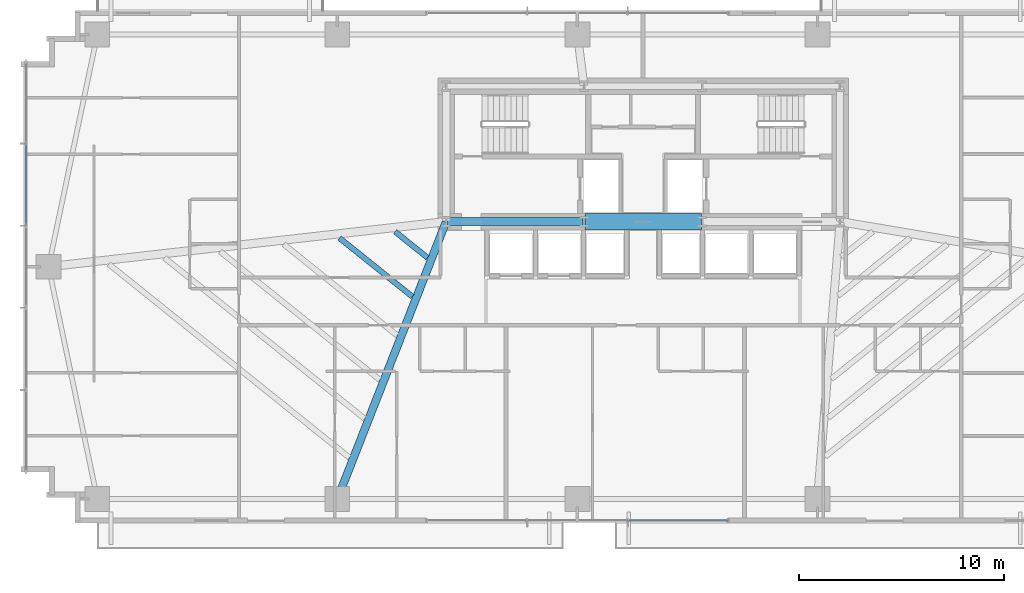
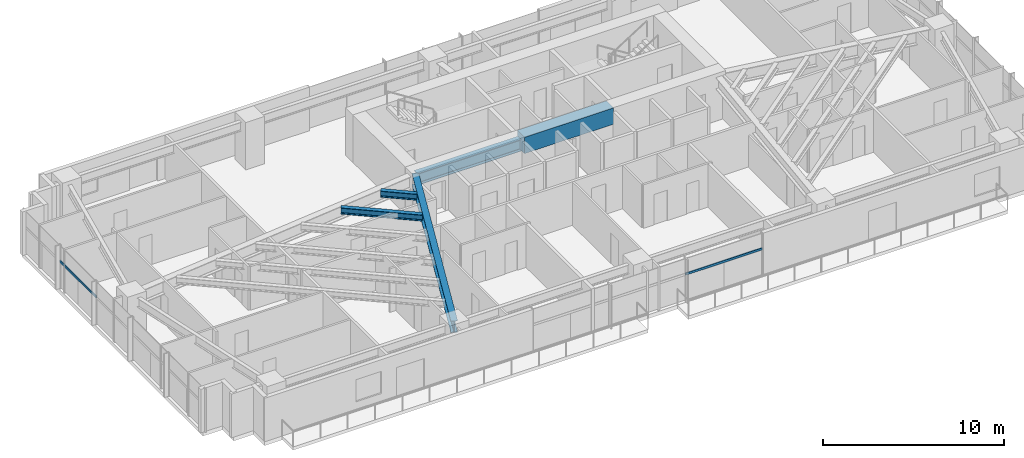
# One storey, part 7 of 25: 5 beams, 2 members, 2 elements without a shape of their own.
"""IFC4 building model written with IfcOpenShell, lengths in metres."""

from ifc_helpers import new_model, si_unit, direction, frame, origin, origin_2d, place, context, subcontext, project, spatial, rectangle, hollow_rectangle, i_section, extrude, source, transform, mapped, material, material_profile, profile_set, type_object, type_shapes, element, aggregate, save


model = new_model("IFC4")

# Units and contexts
model_context = context("Model", 3, precision=1e-05, world=origin(), true_north=direction((0.0, 1.0)))
body_context = subcontext(model_context, "Body", "Model", "MODEL_VIEW")
ifc_project = project(units=[si_unit("LENGTHUNIT", "METRE"), si_unit("AREAUNIT", "SQUARE_METRE"), si_unit("VOLUMEUNIT", "CUBIC_METRE"), si_unit("PLANEANGLEUNIT", "RADIAN"), si_unit("MASSUNIT", "GRAM", prefix="KILO")], contexts=[model_context])

# Site, building, storey
site_placement = place(None, origin())
site = spatial("IfcSite", under=ifc_project, at=site_placement, CompositionType="ELEMENT")
building_placement = place(site_placement, origin())
building = spatial("IfcBuilding", under=site, at=building_placement, Name="Astriad Promenade Condominiums", CompositionType="ELEMENT")
storey_placement = place(building_placement, frame((0.0, 0.0, 58.199951171875)))
storey = spatial("IfcBuildingStorey", under=building, at=storey_placement, Name="L16", CompositionType="ELEMENT", Elevation=58.199951171875)

# Beams
ifc_material_1 = material(Name="Steel ASTM A992 Grade 50", Category="steel")
ifc_material_profile_1 = material_profile(ifc_material_1, i_section(OverallWidth=0.3837890625, OverallDepth=0.785888671875, WebThickness=0.019775390625, FlangeThickness=0.033447265625, FilletRadius=0.021484375, at=origin_2d()), Name="W30X211")
ifc_profile_set_1 = profile_set([ifc_material_profile_1], Name="Steel ASTM A992 Grade 50")
beam_type_1 = type_object("IfcBeamType", Name="STEEL FLOOR GIRDER W30X211", PredefinedType="BEAM", material=ifc_profile_set_1)
shared_shape_1 = source(origin(), body_context, "Body", "SweptSolid", [
    extrude(i_section(OverallWidth=0.3837890625, OverallDepth=0.785888671875, WebThickness=0.019775390625, FlangeThickness=0.033447265625, FilletRadius=0.021484375, at=origin_2d()), origin(), (0.0, 0.0, 1.0), 6.64013671875),
])
beam_1_placement = place(storey_placement, frame((26.43994140625, 17.39990234375, 2.547119140625), z_axis=(1.0, 0.0, 0.0), x_axis=(0.0, 1.0, 0.0)))
element("IfcBeam", 1, at=beam_1_placement, inside=storey, type_object=beam_type_1, Name="Core Ring Beam CG-S1-L16", PredefinedType="BEAM", context=body_context, shape_type="MappedRepresentation", body=[
    mapped(shared_shape_1, transform((0.0, 0.0, 0.0), scale=1.0)),
])
ifc_material_2 = material(Name="Concrete C80/95", Category="concrete")
ifc_material_profile_2 = material_profile(ifc_material_2, rectangle(XDim=0.800048828125, YDim=1.10009765625, at=origin_2d()), Name="RC-BM-800X1100")
ifc_profile_set_2 = profile_set([ifc_material_profile_2], Name="Concrete C80/95")
beam_type_2 = type_object("IfcBeamType", Name="CONCRETE CORE COUPLING LINTEL 800X1100", PredefinedType="LINTEL", material=ifc_profile_set_2)
shared_shape_2 = source(origin(), body_context, "Body", "SweptSolid", [
    extrude(rectangle(XDim=0.800048828125, YDim=1.10009765625, at=origin_2d()), origin(), (0.0, 0.0, 1.0), 5.68017578125),
])
type_shapes(beam_type_2, [shared_shape_2])
beam_2_placement = place(storey_placement, frame((33.159912109375, 17.39990234375, 2.630126953125), z_axis=(1.0, 0.0, 0.0), x_axis=(0.0, 1.0, 0.0)))
element("IfcBeam", 2, at=beam_2_placement, inside=storey, type_object=beam_type_2, Name="Core Ring Beam CG-S2-L16", PredefinedType="LINTEL", context=body_context, shape_type="MappedRepresentation", body=[
    mapped(shared_shape_2, transform((0.0, 0.0, 0.0), scale=1.0)),
])
shared_shape_3 = source(origin(), body_context, "Body", "SweptSolid", [
    extrude(i_section(OverallWidth=0.3837890625, OverallDepth=0.785888671875, WebThickness=0.019775390625, FlangeThickness=0.033447265625, FilletRadius=0.021484375, at=origin_2d()), origin(), (0.0, 0.0, 1.0), 14.44189453125),
])
type_shapes(beam_type_1, [shared_shape_1, shared_shape_3])
beam_3_placement = place(storey_placement, frame((21.114501953125, 3.917236328125, 2.547119140625), z_axis=(0.364981228757, 0.931014877784, 0.0), x_axis=(-0.931014877784, 0.364981228757, 0.0)))
element("IfcBeam", 3, at=beam_3_placement, inside=storey, type_object=beam_type_1, Name="Primary Floor Girder PG-W2-L16", PredefinedType="BEAM", context=body_context, shape_type="MappedRepresentation", body=[
    mapped(shared_shape_3, transform((0.0, 0.0, 0.0), scale=1.0)),
])
ifc_material_profile_3 = material_profile(ifc_material_1, i_section(OverallWidth=0.26318359375, OverallDepth=0.425537109375, WebThickness=0.01318359375, FlangeThickness=0.022216796875, FilletRadius=0.013916015625, at=origin_2d()), Name="W16X89")
ifc_profile_set_3 = profile_set([ifc_material_profile_3], Name="Steel ASTM A992 Grade 50")
beam_type_3 = type_object("IfcBeamType", Name="STEEL FLOOR JOIST W16X89", PredefinedType="JOIST", material=ifc_profile_set_3)
shared_shape_4 = source(origin(), body_context, "Body", "SweptSolid", [
    extrude(i_section(OverallWidth=0.26318359375, OverallDepth=0.425537109375, WebThickness=0.01318359375, FlangeThickness=0.022216796875, FilletRadius=0.013916015625, at=origin_2d()), origin(), (0.0, 0.0, 1.0), 4.555419921875),
])
beam_4_placement = place(storey_placement, frame((21.201416015625, 16.600830078125, 2.727294921875), z_axis=(0.779365920634, -0.626569039894, 0.0), x_axis=(0.626569039894, 0.779365920634, 0.0)))
element("IfcBeam", 4, at=beam_4_placement, inside=storey, type_object=beam_type_3, Name="Secondary Composite Floor Joist JW1-5-L16", PredefinedType="JOIST", context=body_context, shape_type="MappedRepresentation", body=[
    mapped(shared_shape_4, transform((0.0, 0.0, 0.0), scale=1.0)),
])
shared_shape_5 = source(origin(), body_context, "Body", "SweptSolid", [
    extrude(i_section(OverallWidth=0.26318359375, OverallDepth=0.425537109375, WebThickness=0.01318359375, FlangeThickness=0.022216796875, FilletRadius=0.013916015625, at=origin_2d()), origin(), (0.0, 0.0, 1.0), 2.02587890625),
])
type_shapes(beam_type_3, [shared_shape_4, shared_shape_5])
beam_5_placement = place(storey_placement, frame((23.914794921875, 16.90869140625, 2.727294921875), z_axis=(0.779373362939, -0.626559782576, 0.0), x_axis=(0.626559782576, 0.779373362939, 0.0)))
element("IfcBeam", 5, at=beam_5_placement, inside=storey, type_object=beam_type_3, Name="Secondary Composite Floor Joist JW1-6-L16", PredefinedType="JOIST", context=body_context, shape_type="MappedRepresentation", body=[
    mapped(shared_shape_5, transform((0.0, 0.0, 0.0), scale=1.0)),
])

# Curtain wall, member
ifc_material_3 = material(Name="Anodised aluminium Black Dark Glass Unitised", Category="aluminium")
curtain_wall_type = type_object("IfcCurtainWallType", Name="CW-B1-DARK", PredefinedType="USERDEFINED", material=ifc_material_3)
curtain_wall_1_placement = place(storey_placement, origin())
curtain_wall_1 = element("IfcCurtainWall", 6, at=curtain_wall_1_placement, inside=storey, type_object=curtain_wall_type, Name="CW-L16-W", ObjectType="UNITISED_CURTAIN_WALL", PredefinedType="USERDEFINED")
ifc_material_4 = material(Name="Anodised aluminium 6063-T6 Black", Category="aluminium")
ifc_material_profile_4 = material_profile(ifc_material_4, hollow_rectangle(XDim=0.074951171875, YDim=0.14990234375, WallThickness=0.004150390625, at=origin_2d()), Name="ALU-TRN-75X150")
ifc_profile_set_4 = profile_set([ifc_material_profile_4], Name="Anodised aluminium 6063-T6 Black")
member_type = type_object("IfcMemberType", Name="TRN-ALU-TRN-75X150", PredefinedType="USERDEFINED", material=ifc_profile_set_4)
shared_shape_6 = source(origin(), body_context, "Body", "SweptSolid", [
    extrude(hollow_rectangle(XDim=0.074951171875, YDim=0.14990234375, WallThickness=0.004150390625, at=origin_2d()), origin(), (0.0, 0.0, 1.0), 4.0),
])
member_1_placement = place(storey_placement, frame((5.929931640625, 17.199951171875, 1.82275390625), z_axis=(0.0, 1.0, 0.0), x_axis=(-1.0, 0.0, 0.0)))
member_1 = element("IfcMember", 7, at=member_1_placement, type_object=member_type, Name="CW-L16-W-TRN-03-0", ObjectType="TRANSOM", PredefinedType="USERDEFINED", context=body_context, shape_type="MappedRepresentation", body=[
    mapped(shared_shape_6, transform((0.0, 0.0, 0.0), scale=1.0)),
])
aggregate(curtain_wall_1, [member_1])

curtain_wall_2_placement = place(storey_placement, origin())
curtain_wall_2 = element("IfcCurtainWall", 8, at=curtain_wall_2_placement, inside=storey, type_object=curtain_wall_type, Name="CW-L16-S", ObjectType="UNITISED_CURTAIN_WALL", PredefinedType="USERDEFINED")
shared_shape_7 = source(origin(), body_context, "Body", "SweptSolid", [
    extrude(hollow_rectangle(XDim=0.074951171875, YDim=0.14990234375, WallThickness=0.004150390625, at=origin_2d()), origin(), (0.0, 0.0, 1.0), 4.89990234375),
])
type_shapes(member_type, [shared_shape_6, shared_shape_7])
member_2_placement = place(storey_placement, frame((40.14990234375, 2.830078125, 1.82275390625), z_axis=(-1.0, 0.0, 0.0), x_axis=(0.0, -1.0, 0.0)))
member_2 = element("IfcMember", 9, at=member_2_placement, type_object=member_type, Name="CW-L16-S-TRN-00-0", ObjectType="TRANSOM", PredefinedType="USERDEFINED", context=body_context, shape_type="MappedRepresentation", body=[
    mapped(shared_shape_7, transform((0.0, 0.0, 0.0), scale=1.0)),
])
aggregate(curtain_wall_2, [member_2])

save(model, "model.ifc")
